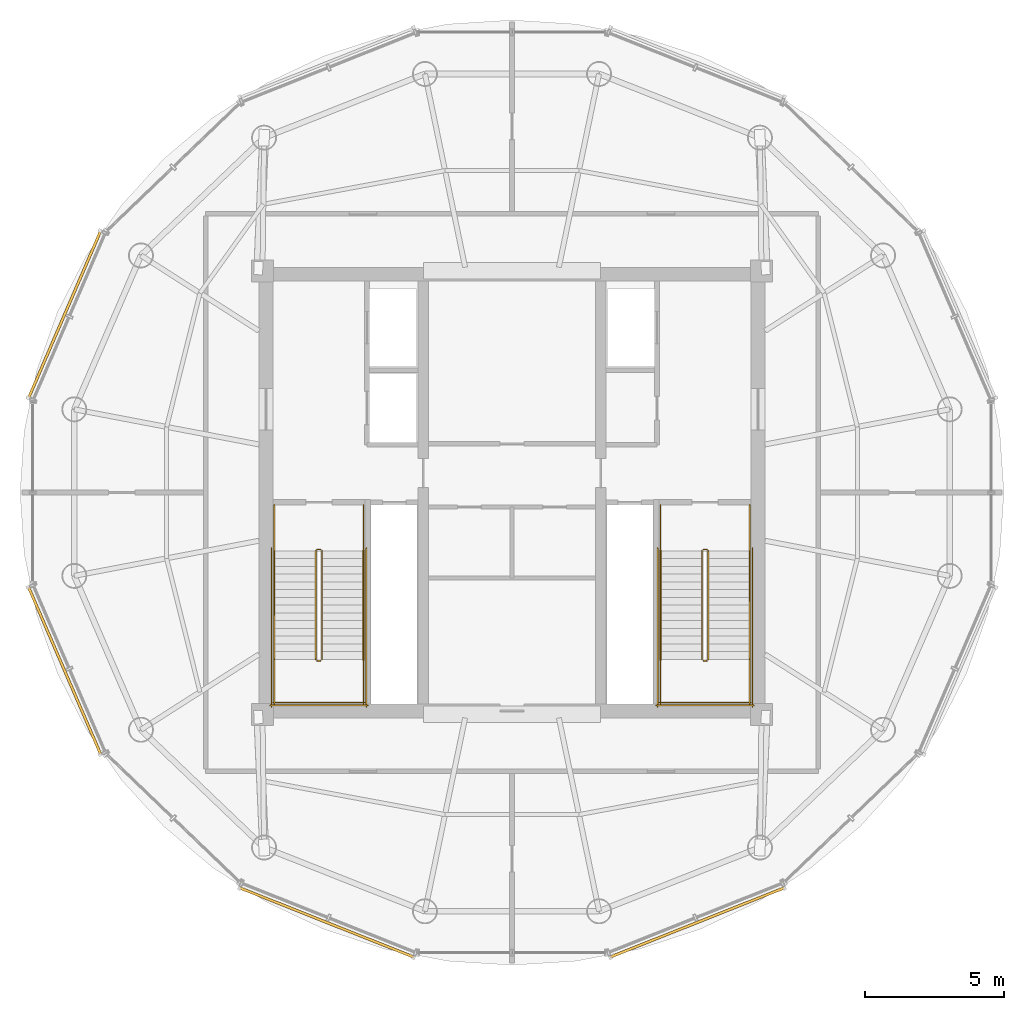
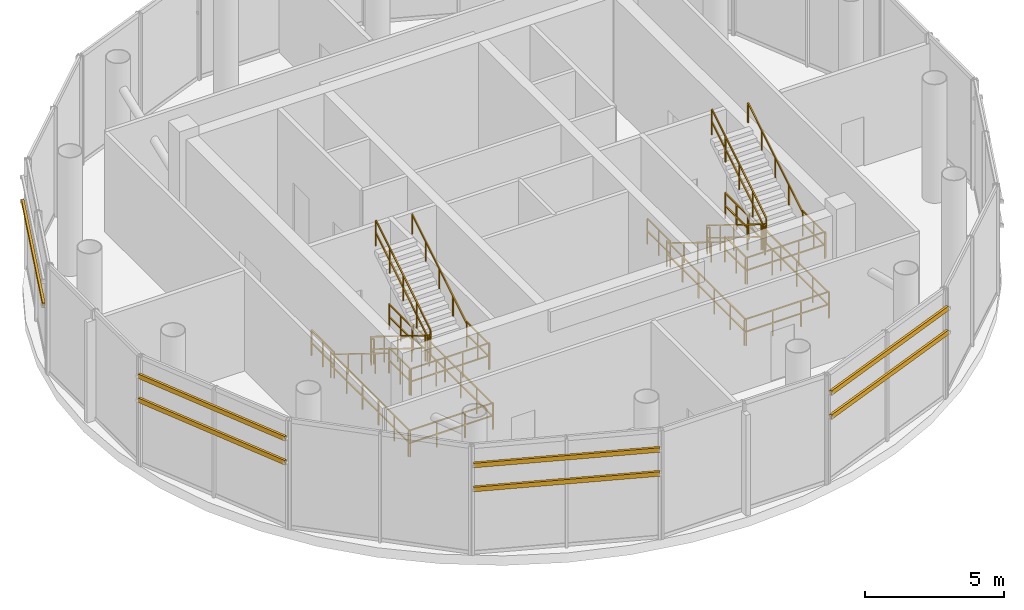
# One storey, part 14 of 15: 28 railings, 7 shading devices.
"""IFC4 building model written with IfcOpenShell, lengths in metres."""

from ifc_helpers import new_model, si_unit, direction, frame, origin, origin_2d, place, context, subcontext, project, spatial, rectangle, hollow_rectangle, extrude, source, transform, mapped, material, material_profile, profile_set, type_object, element, save


model = new_model("IFC4")

# Units and contexts
model_context = context("Model", 3, precision=1e-05, world=origin(), true_north=direction((-0.2419218956, 0.970295726276)))
body_context = subcontext(model_context, "Body", "Model", "MODEL_VIEW")
ifc_project = project(units=[si_unit("LENGTHUNIT", "METRE"), si_unit("AREAUNIT", "SQUARE_METRE"), si_unit("VOLUMEUNIT", "CUBIC_METRE"), si_unit("PLANEANGLEUNIT", "RADIAN"), si_unit("MASSUNIT", "GRAM", prefix="KILO")], contexts=[model_context])

# Site, building, storey
site_placement = place(None, origin())
site = spatial("IfcSite", under=ifc_project, at=site_placement, CompositionType="ELEMENT")
building_placement = place(site_placement, origin())
building = spatial("IfcBuilding", under=site, at=building_placement, Name="Cobrevalo Terracotta Tower", CompositionType="ELEMENT")
storey_placement = place(building_placement, frame((0.0, 0.0, 311.300048828125)))
storey = spatial("IfcBuildingStorey", under=building, at=storey_placement, Name="L81", CompositionType="ELEMENT", Elevation=311.300048828125)

# Railings
ifc_material_1 = material(Name="Brushed stainless steel", Category="steel")
railing_type_1 = type_object("IfcRailingType", Name="Stainless Steel Stair Handrail 900", PredefinedType="HANDRAIL", material=ifc_material_1)
railing_1_placement = place(storey_placement, frame((29.425048828125, 24.699951171875, 0.17333984375)))
element("IfcRailing", 1, at=railing_1_placement, inside=storey, type_object=railing_type_1, Name="L81 ST-1 stair handrail 1", PredefinedType="HANDRAIL", context=body_context, shape_type="SweptSolid", body=[
    extrude(rectangle(XDim=0.048095703125, YDim=0.048095703125, at=origin_2d()), frame((0.0, 0.0, 0.8759765625), z_axis=(0.0, -0.850275303828, 0.526338206574), x_axis=(1.0, 0.0, 0.0)), (0.0, 0.0, 1.0), 4.610107421875),
    extrude(rectangle(XDim=0.0419921875, YDim=0.0419921875, at=origin_2d()), origin(), (0.0, 0.0, 1.0), 0.851806640625),
    extrude(rectangle(XDim=0.0419921875, YDim=0.0419921875, at=origin_2d()), frame((0.0, -0.97998046875, 0.606689453125)), (0.0, 0.0, 1.0), 0.851806640625),
    extrude(rectangle(XDim=0.0419921875, YDim=0.0419921875, at=origin_2d()), frame((0.0, -1.9599609375, 1.21337890625)), (0.0, 0.0, 1.0), 0.851806640625),
    extrude(rectangle(XDim=0.0419921875, YDim=0.0419921875, at=origin_2d()), frame((0.0, -2.93994140625, 1.81982421875)), (0.0, 0.0, 1.0), 0.851806640625),
    extrude(rectangle(XDim=0.0419921875, YDim=0.0419921875, at=origin_2d()), frame((0.0, -3.919921875, 2.426513671875)), (0.0, 0.0, 1.0), 0.851806640625),
])
railing_2_placement = place(storey_placement, frame((32.64501953125, 20.780029296875, 2.773193359375)))
element("IfcRailing", 2, at=railing_2_placement, inside=storey, type_object=railing_type_1, Name="L81 ST-1 stair handrail 2", PredefinedType="HANDRAIL", context=body_context, shape_type="SweptSolid", body=[
    extrude(rectangle(XDim=0.048095703125, YDim=0.048095703125, at=origin_2d()), frame((0.0, 0.0, 0.8759765625), z_axis=(0.0, 0.850251603719, 0.526376491091), x_axis=(-1.0, 0.0, 0.0)), (0.0, 0.0, 1.0), 4.6103515625),
    extrude(rectangle(XDim=0.0419921875, YDim=0.0419921875, at=origin_2d()), origin(), (0.0, 0.0, 1.0), 0.851806640625),
    extrude(rectangle(XDim=0.0419921875, YDim=0.0419921875, at=origin_2d()), frame((0.0, 0.97998046875, 0.606689453125)), (0.0, 0.0, 1.0), 0.851806640625),
    extrude(rectangle(XDim=0.0419921875, YDim=0.0419921875, at=origin_2d()), frame((0.0, 1.9599609375, 1.21337890625)), (0.0, 0.0, 1.0), 0.851806640625),
    extrude(rectangle(XDim=0.0419921875, YDim=0.0419921875, at=origin_2d()), frame((0.0, 2.93994140625, 1.820068359375)), (0.0, 0.0, 1.0), 0.851806640625),
    extrude(rectangle(XDim=0.0419921875, YDim=0.0419921875, at=origin_2d()), frame((0.0, 3.919921875, 2.4267578125)), (0.0, 0.0, 1.0), 0.851806640625),
])
railing_3_placement = place(storey_placement, frame((43.35498046875, 24.699951171875, 0.17333984375)))
element("IfcRailing", 3, at=railing_3_placement, inside=storey, type_object=railing_type_1, Name="L81 ST-2 stair handrail 1", PredefinedType="HANDRAIL", context=body_context, shape_type="SweptSolid", body=[
    extrude(rectangle(XDim=0.048095703125, YDim=0.048095703125, at=origin_2d()), frame((0.0, 0.0, 0.8759765625), z_axis=(0.0, -0.850275303828, 0.526338206574), x_axis=(1.0, 0.0, 0.0)), (0.0, 0.0, 1.0), 4.610107421875),
    extrude(rectangle(XDim=0.0419921875, YDim=0.0419921875, at=origin_2d()), origin(), (0.0, 0.0, 1.0), 0.851806640625),
    extrude(rectangle(XDim=0.0419921875, YDim=0.0419921875, at=origin_2d()), frame((0.0, -0.97998046875, 0.606689453125)), (0.0, 0.0, 1.0), 0.851806640625),
    extrude(rectangle(XDim=0.0419921875, YDim=0.0419921875, at=origin_2d()), frame((0.0, -1.9599609375, 1.21337890625)), (0.0, 0.0, 1.0), 0.851806640625),
    extrude(rectangle(XDim=0.0419921875, YDim=0.0419921875, at=origin_2d()), frame((0.0, -2.93994140625, 1.81982421875)), (0.0, 0.0, 1.0), 0.851806640625),
    extrude(rectangle(XDim=0.0419921875, YDim=0.0419921875, at=origin_2d()), frame((0.0, -3.919921875, 2.426513671875)), (0.0, 0.0, 1.0), 0.851806640625),
])
railing_4_placement = place(storey_placement, frame((46.574951171875, 20.780029296875, 2.773193359375)))
element("IfcRailing", 4, at=railing_4_placement, inside=storey, type_object=railing_type_1, Name="L81 ST-2 stair handrail 2", PredefinedType="HANDRAIL", context=body_context, shape_type="SweptSolid", body=[
    extrude(rectangle(XDim=0.048095703125, YDim=0.048095703125, at=origin_2d()), frame((0.0, 0.0, 0.8759765625), z_axis=(0.0, 0.850251603719, 0.526376491091), x_axis=(-1.0, 0.0, 0.0)), (0.0, 0.0, 1.0), 4.6103515625),
    extrude(rectangle(XDim=0.0419921875, YDim=0.0419921875, at=origin_2d()), origin(), (0.0, 0.0, 1.0), 0.851806640625),
    extrude(rectangle(XDim=0.0419921875, YDim=0.0419921875, at=origin_2d()), frame((0.0, 0.97998046875, 0.606689453125)), (0.0, 0.0, 1.0), 0.851806640625),
    extrude(rectangle(XDim=0.0419921875, YDim=0.0419921875, at=origin_2d()), frame((0.0, 1.9599609375, 1.21337890625)), (0.0, 0.0, 1.0), 0.851806640625),
    extrude(rectangle(XDim=0.0419921875, YDim=0.0419921875, at=origin_2d()), frame((0.0, 2.93994140625, 1.820068359375)), (0.0, 0.0, 1.0), 0.851806640625),
    extrude(rectangle(XDim=0.0419921875, YDim=0.0419921875, at=origin_2d()), frame((0.0, 3.919921875, 2.4267578125)), (0.0, 0.0, 1.0), 0.851806640625),
])
ifc_material_2 = material(Name="Painted galvanized steel", Category="steel")
railing_type_2 = type_object("IfcRailingType", Name="Stair Well Guard Balustrade 1150", PredefinedType="GUARDRAIL", material=ifc_material_2)
railing_5_placement = place(storey_placement, frame((30.925048828125, 24.699951171875, 0.17333984375)))
element("IfcRailing", 5, at=railing_5_placement, inside=storey, type_object=railing_type_2, Name="L81 ST-1 stair guard 1", PredefinedType="GUARDRAIL", context=body_context, shape_type="SweptSolid", body=[
    extrude(rectangle(XDim=0.048095703125, YDim=0.048095703125, at=origin_2d()), frame((0.0, 0.0, 1.1259765625), z_axis=(0.0, -0.850275303828, 0.526338206574), x_axis=(1.0, 0.0, 0.0)), (0.0, 0.0, 1.0), 4.610107421875),
    extrude(rectangle(XDim=0.048095703125, YDim=0.048095703125, at=origin_2d()), frame((0.0, 0.0, 0.574951171875), z_axis=(0.0, -0.850275303828, 0.526338206574), x_axis=(1.0, 0.0, 0.0)), (0.0, 0.0, 1.0), 4.610107421875),
    extrude(rectangle(XDim=0.0419921875, YDim=0.0419921875, at=origin_2d()), origin(), (0.0, 0.0, 1.0), 1.101806640625),
    extrude(rectangle(XDim=0.0419921875, YDim=0.0419921875, at=origin_2d()), frame((0.0, -0.97998046875, 0.606689453125)), (0.0, 0.0, 1.0), 1.101806640625),
    extrude(rectangle(XDim=0.0419921875, YDim=0.0419921875, at=origin_2d()), frame((0.0, -1.9599609375, 1.21337890625)), (0.0, 0.0, 1.0), 1.101806640625),
    extrude(rectangle(XDim=0.0419921875, YDim=0.0419921875, at=origin_2d()), frame((0.0, -2.93994140625, 1.81982421875)), (0.0, 0.0, 1.0), 1.101806640625),
    extrude(rectangle(XDim=0.0419921875, YDim=0.0419921875, at=origin_2d()), frame((0.0, -3.919921875, 2.426513671875)), (0.0, 0.0, 1.0), 1.101806640625),
])
railing_6_placement = place(storey_placement, frame((30.97509765625, 20.72998046875, 2.599853515625)))
element("IfcRailing", 6, at=railing_6_placement, inside=storey, type_object=railing_type_2, Name="L81 ST-1 stair guard 2", PredefinedType="GUARDRAIL", context=body_context, shape_type="SweptSolid", body=[
    extrude(rectangle(XDim=0.048095703125, YDim=0.048095703125, at=origin_2d()), frame((0.0, 0.0, 1.1259765625), z_axis=(1.0, 0.0, 0.0), x_axis=(0.0, 1.0, 0.0)), (0.0, 0.0, 1.0), 0.119873046875),
    extrude(rectangle(XDim=0.048095703125, YDim=0.048095703125, at=origin_2d()), frame((0.0, 0.0, 0.574951171875), z_axis=(1.0, 0.0, 0.0), x_axis=(0.0, 1.0, 0.0)), (0.0, 0.0, 1.0), 0.119873046875),
    extrude(rectangle(XDim=0.0419921875, YDim=0.0419921875, at=origin_2d()), origin(), (0.0, 0.0, 1.0), 1.101806640625),
    extrude(rectangle(XDim=0.0419921875, YDim=0.0419921875, at=origin_2d()), frame((0.119873046875, 0.0, 0.0)), (0.0, 0.0, 1.0), 1.101806640625),
])
for number, where, name in (
    (7, (29.425048828125, 20.780029296875, 2.599853515625), "L81 ST-1 stair guard 3"),
    (8, (32.64501953125, 20.780029296875, 2.599853515625), "L81 ST-1 stair guard 4"),
):
    element("IfcRailing", number, at=place(storey_placement, frame(where)), inside=storey, type_object=railing_type_2, Name=name, PredefinedType="GUARDRAIL", context=body_context, shape_type="SweptSolid", body=[
        extrude(rectangle(XDim=0.048095703125, YDim=0.048095703125, at=origin_2d()), frame((0.0, 0.0, 1.1259765625), z_axis=(0.0, -1.0, 0.0), x_axis=(1.0, 0.0, 0.0)), (0.0, 0.0, 1.0), 1.60498046875),
        extrude(rectangle(XDim=0.048095703125, YDim=0.048095703125, at=origin_2d()), frame((0.0, 0.0, 0.574951171875), z_axis=(0.0, -1.0, 0.0), x_axis=(1.0, 0.0, 0.0)), (0.0, 0.0, 1.0), 1.60498046875),
        extrude(rectangle(XDim=0.0419921875, YDim=0.0419921875, at=origin_2d()), origin(), (0.0, 0.0, 1.0), 1.101806640625),
        extrude(rectangle(XDim=0.0419921875, YDim=0.0419921875, at=origin_2d()), frame((0.0, -0.802490234375, 0.0)), (0.0, 0.0, 1.0), 1.101806640625),
        extrude(rectangle(XDim=0.0419921875, YDim=0.0419921875, at=origin_2d()), frame((0.0, -1.60498046875, 0.0)), (0.0, 0.0, 1.0), 1.101806640625),
    ])
railing_7_placement = place(storey_placement, frame((29.375, 19.22509765625, 2.599853515625)))
element("IfcRailing", 9, at=railing_7_placement, inside=storey, type_object=railing_type_2, Name="L81 ST-1 stair guard 5", PredefinedType="GUARDRAIL", context=body_context, shape_type="SweptSolid", body=[
    extrude(rectangle(XDim=0.048095703125, YDim=0.048095703125, at=origin_2d()), frame((0.0, 0.0, 1.1259765625), z_axis=(1.0, 0.0, 0.0), x_axis=(0.0, 1.0, 0.0)), (0.0, 0.0, 1.0), 3.320068359375),
    extrude(rectangle(XDim=0.048095703125, YDim=0.048095703125, at=origin_2d()), frame((0.0, 0.0, 0.574951171875), z_axis=(1.0, 0.0, 0.0), x_axis=(0.0, 1.0, 0.0)), (0.0, 0.0, 1.0), 3.320068359375),
    extrude(rectangle(XDim=0.0419921875, YDim=0.0419921875, at=origin_2d()), origin(), (0.0, 0.0, 1.0), 1.101806640625),
    extrude(rectangle(XDim=0.0419921875, YDim=0.0419921875, at=origin_2d()), frame((1.106689453125, 0.0, 0.0)), (0.0, 0.0, 1.0), 1.101806640625),
    extrude(rectangle(XDim=0.0419921875, YDim=0.0419921875, at=origin_2d()), frame((2.21337890625, 0.0, 0.0)), (0.0, 0.0, 1.0), 1.101806640625),
    extrude(rectangle(XDim=0.0419921875, YDim=0.0419921875, at=origin_2d()), frame((3.320068359375, 0.0, 0.0)), (0.0, 0.0, 1.0), 1.101806640625),
])
railing_8_placement = place(storey_placement, frame((31.14501953125, 20.780029296875, 2.773193359375)))
element("IfcRailing", 10, at=railing_8_placement, inside=storey, type_object=railing_type_2, Name="L81 ST-1 stair guard 6", PredefinedType="GUARDRAIL", context=body_context, shape_type="SweptSolid", body=[
    extrude(rectangle(XDim=0.048095703125, YDim=0.048095703125, at=origin_2d()), frame((0.0, 0.0, 1.1259765625), z_axis=(0.0, 0.850251603719, 0.526376491091), x_axis=(-1.0, 0.0, 0.0)), (0.0, 0.0, 1.0), 4.6103515625),
    extrude(rectangle(XDim=0.048095703125, YDim=0.048095703125, at=origin_2d()), frame((0.0, 0.0, 0.574951171875), z_axis=(0.0, 0.850251603719, 0.526376491091), x_axis=(-1.0, 0.0, 0.0)), (0.0, 0.0, 1.0), 4.6103515625),
    extrude(rectangle(XDim=0.0419921875, YDim=0.0419921875, at=origin_2d()), origin(), (0.0, 0.0, 1.0), 1.101806640625),
    extrude(rectangle(XDim=0.0419921875, YDim=0.0419921875, at=origin_2d()), frame((0.0, 0.97998046875, 0.606689453125)), (0.0, 0.0, 1.0), 1.101806640625),
    extrude(rectangle(XDim=0.0419921875, YDim=0.0419921875, at=origin_2d()), frame((0.0, 1.9599609375, 1.21337890625)), (0.0, 0.0, 1.0), 1.101806640625),
    extrude(rectangle(XDim=0.0419921875, YDim=0.0419921875, at=origin_2d()), frame((0.0, 2.93994140625, 1.820068359375)), (0.0, 0.0, 1.0), 1.101806640625),
    extrude(rectangle(XDim=0.0419921875, YDim=0.0419921875, at=origin_2d()), frame((0.0, 3.919921875, 2.4267578125)), (0.0, 0.0, 1.0), 1.101806640625),
])
railing_9_placement = place(storey_placement, frame((30.97509765625, 24.75, 0.0)))
element("IfcRailing", 11, at=railing_9_placement, inside=storey, type_object=railing_type_2, Name="L81 ST-1 stair guard 7", PredefinedType="GUARDRAIL", context=body_context, shape_type="SweptSolid", body=[
    extrude(rectangle(XDim=0.048095703125, YDim=0.048095703125, at=origin_2d()), frame((0.0, 0.0, 1.1259765625), z_axis=(1.0, 0.0, 0.0), x_axis=(0.0, 1.0, 0.0)), (0.0, 0.0, 1.0), 0.119873046875),
    extrude(rectangle(XDim=0.048095703125, YDim=0.048095703125, at=origin_2d()), frame((0.0, 0.0, 0.574951171875), z_axis=(1.0, 0.0, 0.0), x_axis=(0.0, 1.0, 0.0)), (0.0, 0.0, 1.0), 0.119873046875),
    extrude(rectangle(XDim=0.0419921875, YDim=0.0419921875, at=origin_2d()), origin(), (0.0, 0.0, 1.0), 1.101806640625),
    extrude(rectangle(XDim=0.0419921875, YDim=0.0419921875, at=origin_2d()), frame((0.119873046875, 0.0, 0.0)), (0.0, 0.0, 1.0), 1.101806640625),
])
for number, where, name in (
    (12, (29.425048828125, 26.35009765625, 0.0), "L81 ST-1 stair guard 8"),
    (13, (32.64501953125, 26.35009765625, 0.0), "L81 ST-1 stair guard 9"),
):
    element("IfcRailing", number, at=place(storey_placement, frame(where)), inside=storey, type_object=railing_type_2, Name=name, PredefinedType="GUARDRAIL", context=body_context, shape_type="SweptSolid", body=[
        extrude(rectangle(XDim=0.048095703125, YDim=0.048095703125, at=origin_2d()), frame((0.0, 0.0, 1.1259765625), z_axis=(0.0, -1.0, 0.0), x_axis=(1.0, 0.0, 0.0)), (0.0, 0.0, 1.0), 1.650146484375),
        extrude(rectangle(XDim=0.048095703125, YDim=0.048095703125, at=origin_2d()), frame((0.0, 0.0, 0.574951171875), z_axis=(0.0, -1.0, 0.0), x_axis=(1.0, 0.0, 0.0)), (0.0, 0.0, 1.0), 1.650146484375),
        extrude(rectangle(XDim=0.0419921875, YDim=0.0419921875, at=origin_2d()), origin(), (0.0, 0.0, 1.0), 1.101806640625),
        extrude(rectangle(XDim=0.0419921875, YDim=0.0419921875, at=origin_2d()), frame((0.0, -0.8251953125, 0.0)), (0.0, 0.0, 1.0), 1.101806640625),
        extrude(rectangle(XDim=0.0419921875, YDim=0.0419921875, at=origin_2d()), frame((0.0, -1.650146484375, 0.0)), (0.0, 0.0, 1.0), 1.101806640625),
    ])
for number, where, name in (
    (14, (29.324951171875, 24.800048828125, 0.0), "L81 ST-1 stair guard 10"),
    (15, (32.7451171875, 24.800048828125, 0.0), "L81 ST-1 stair guard 11"),
):
    element("IfcRailing", number, at=place(storey_placement, frame(where)), inside=storey, type_object=railing_type_2, Name=name, PredefinedType="GUARDRAIL", context=body_context, shape_type="SweptSolid", body=[
        extrude(rectangle(XDim=0.048095703125, YDim=0.048095703125, at=origin_2d()), frame((0.0, 0.0, 1.1259765625), z_axis=(0.0, -1.0, 0.0), x_axis=(1.0, 0.0, 0.0)), (0.0, 0.0, 1.0), 5.72509765625),
        extrude(rectangle(XDim=0.048095703125, YDim=0.048095703125, at=origin_2d()), frame((0.0, 0.0, 0.574951171875), z_axis=(0.0, -1.0, 0.0), x_axis=(1.0, 0.0, 0.0)), (0.0, 0.0, 1.0), 5.72509765625),
        extrude(rectangle(XDim=0.0419921875, YDim=0.0419921875, at=origin_2d()), origin(), (0.0, 0.0, 1.0), 1.101806640625),
        extrude(rectangle(XDim=0.0419921875, YDim=0.0419921875, at=origin_2d()), frame((0.0, -1.14501953125, 0.0)), (0.0, 0.0, 1.0), 1.101806640625),
        extrude(rectangle(XDim=0.0419921875, YDim=0.0419921875, at=origin_2d()), frame((0.0, -2.2900390625, 0.0)), (0.0, 0.0, 1.0), 1.101806640625),
        extrude(rectangle(XDim=0.0419921875, YDim=0.0419921875, at=origin_2d()), frame((0.0, -3.43505859375, 0.0)), (0.0, 0.0, 1.0), 1.101806640625),
        extrude(rectangle(XDim=0.0419921875, YDim=0.0419921875, at=origin_2d()), frame((0.0, -4.580078125, 0.0)), (0.0, 0.0, 1.0), 1.101806640625),
        extrude(rectangle(XDim=0.0419921875, YDim=0.0419921875, at=origin_2d()), frame((0.0, -5.72509765625, 0.0)), (0.0, 0.0, 1.0), 1.101806640625),
    ])
railing_10_placement = place(storey_placement, frame((29.27490234375, 19.125, 0.0)))
element("IfcRailing", 16, at=railing_10_placement, inside=storey, type_object=railing_type_2, Name="L81 ST-1 stair guard 12", PredefinedType="GUARDRAIL", context=body_context, shape_type="SweptSolid", body=[
    extrude(rectangle(XDim=0.048095703125, YDim=0.048095703125, at=origin_2d()), frame((0.0, 0.0, 1.1259765625), z_axis=(1.0, 0.0, 0.0), x_axis=(0.0, 1.0, 0.0)), (0.0, 0.0, 1.0), 3.52001953125),
    extrude(rectangle(XDim=0.048095703125, YDim=0.048095703125, at=origin_2d()), frame((0.0, 0.0, 0.574951171875), z_axis=(1.0, 0.0, 0.0), x_axis=(0.0, 1.0, 0.0)), (0.0, 0.0, 1.0), 3.52001953125),
    extrude(rectangle(XDim=0.0419921875, YDim=0.0419921875, at=origin_2d()), origin(), (0.0, 0.0, 1.0), 1.101806640625),
    extrude(rectangle(XDim=0.0419921875, YDim=0.0419921875, at=origin_2d()), frame((1.17333984375, 0.0, 0.0)), (0.0, 0.0, 1.0), 1.101806640625),
    extrude(rectangle(XDim=0.0419921875, YDim=0.0419921875, at=origin_2d()), frame((2.3466796875, 0.0, 0.0)), (0.0, 0.0, 1.0), 1.101806640625),
    extrude(rectangle(XDim=0.0419921875, YDim=0.0419921875, at=origin_2d()), frame((3.52001953125, 0.0, 0.0)), (0.0, 0.0, 1.0), 1.101806640625),
])
railing_11_placement = place(storey_placement, frame((44.85498046875, 24.699951171875, 0.17333984375)))
element("IfcRailing", 17, at=railing_11_placement, inside=storey, type_object=railing_type_2, Name="L81 ST-2 stair guard 1", PredefinedType="GUARDRAIL", context=body_context, shape_type="SweptSolid", body=[
    extrude(rectangle(XDim=0.048095703125, YDim=0.048095703125, at=origin_2d()), frame((0.0, 0.0, 1.1259765625), z_axis=(0.0, -0.850275303828, 0.526338206574), x_axis=(1.0, 0.0, 0.0)), (0.0, 0.0, 1.0), 4.610107421875),
    extrude(rectangle(XDim=0.048095703125, YDim=0.048095703125, at=origin_2d()), frame((0.0, 0.0, 0.574951171875), z_axis=(0.0, -0.850275303828, 0.526338206574), x_axis=(1.0, 0.0, 0.0)), (0.0, 0.0, 1.0), 4.610107421875),
    extrude(rectangle(XDim=0.0419921875, YDim=0.0419921875, at=origin_2d()), origin(), (0.0, 0.0, 1.0), 1.101806640625),
    extrude(rectangle(XDim=0.0419921875, YDim=0.0419921875, at=origin_2d()), frame((0.0, -0.97998046875, 0.606689453125)), (0.0, 0.0, 1.0), 1.101806640625),
    extrude(rectangle(XDim=0.0419921875, YDim=0.0419921875, at=origin_2d()), frame((0.0, -1.9599609375, 1.21337890625)), (0.0, 0.0, 1.0), 1.101806640625),
    extrude(rectangle(XDim=0.0419921875, YDim=0.0419921875, at=origin_2d()), frame((0.0, -2.93994140625, 1.81982421875)), (0.0, 0.0, 1.0), 1.101806640625),
    extrude(rectangle(XDim=0.0419921875, YDim=0.0419921875, at=origin_2d()), frame((0.0, -3.919921875, 2.426513671875)), (0.0, 0.0, 1.0), 1.101806640625),
])
railing_12_placement = place(storey_placement, frame((44.905029296875, 20.72998046875, 2.599853515625)))
element("IfcRailing", 18, at=railing_12_placement, inside=storey, type_object=railing_type_2, Name="L81 ST-2 stair guard 2", PredefinedType="GUARDRAIL", context=body_context, shape_type="SweptSolid", body=[
    extrude(rectangle(XDim=0.048095703125, YDim=0.048095703125, at=origin_2d()), frame((0.0, 0.0, 1.1259765625), z_axis=(1.0, 0.0, 0.0), x_axis=(0.0, 1.0, 0.0)), (0.0, 0.0, 1.0), 0.119873046875),
    extrude(rectangle(XDim=0.048095703125, YDim=0.048095703125, at=origin_2d()), frame((0.0, 0.0, 0.574951171875), z_axis=(1.0, 0.0, 0.0), x_axis=(0.0, 1.0, 0.0)), (0.0, 0.0, 1.0), 0.119873046875),
    extrude(rectangle(XDim=0.0419921875, YDim=0.0419921875, at=origin_2d()), origin(), (0.0, 0.0, 1.0), 1.101806640625),
    extrude(rectangle(XDim=0.0419921875, YDim=0.0419921875, at=origin_2d()), frame((0.119873046875, 0.0, 0.0)), (0.0, 0.0, 1.0), 1.101806640625),
])
for number, where, name in (
    (19, (43.35498046875, 20.780029296875, 2.599853515625), "L81 ST-2 stair guard 3"),
    (20, (46.574951171875, 20.780029296875, 2.599853515625), "L81 ST-2 stair guard 4"),
):
    element("IfcRailing", number, at=place(storey_placement, frame(where)), inside=storey, type_object=railing_type_2, Name=name, PredefinedType="GUARDRAIL", context=body_context, shape_type="SweptSolid", body=[
        extrude(rectangle(XDim=0.048095703125, YDim=0.048095703125, at=origin_2d()), frame((0.0, 0.0, 1.1259765625), z_axis=(0.0, -1.0, 0.0), x_axis=(1.0, 0.0, 0.0)), (0.0, 0.0, 1.0), 1.60498046875),
        extrude(rectangle(XDim=0.048095703125, YDim=0.048095703125, at=origin_2d()), frame((0.0, 0.0, 0.574951171875), z_axis=(0.0, -1.0, 0.0), x_axis=(1.0, 0.0, 0.0)), (0.0, 0.0, 1.0), 1.60498046875),
        extrude(rectangle(XDim=0.0419921875, YDim=0.0419921875, at=origin_2d()), origin(), (0.0, 0.0, 1.0), 1.101806640625),
        extrude(rectangle(XDim=0.0419921875, YDim=0.0419921875, at=origin_2d()), frame((0.0, -0.802490234375, 0.0)), (0.0, 0.0, 1.0), 1.101806640625),
        extrude(rectangle(XDim=0.0419921875, YDim=0.0419921875, at=origin_2d()), frame((0.0, -1.60498046875, 0.0)), (0.0, 0.0, 1.0), 1.101806640625),
    ])
railing_13_placement = place(storey_placement, frame((43.304931640625, 19.22509765625, 2.599853515625)))
element("IfcRailing", 21, at=railing_13_placement, inside=storey, type_object=railing_type_2, Name="L81 ST-2 stair guard 5", PredefinedType="GUARDRAIL", context=body_context, shape_type="SweptSolid", body=[
    extrude(rectangle(XDim=0.048095703125, YDim=0.048095703125, at=origin_2d()), frame((0.0, 0.0, 1.1259765625), z_axis=(1.0, 0.0, 0.0), x_axis=(0.0, 1.0, 0.0)), (0.0, 0.0, 1.0), 3.320068359375),
    extrude(rectangle(XDim=0.048095703125, YDim=0.048095703125, at=origin_2d()), frame((0.0, 0.0, 0.574951171875), z_axis=(1.0, 0.0, 0.0), x_axis=(0.0, 1.0, 0.0)), (0.0, 0.0, 1.0), 3.320068359375),
    extrude(rectangle(XDim=0.0419921875, YDim=0.0419921875, at=origin_2d()), origin(), (0.0, 0.0, 1.0), 1.101806640625),
    extrude(rectangle(XDim=0.0419921875, YDim=0.0419921875, at=origin_2d()), frame((1.106689453125, 0.0, 0.0)), (0.0, 0.0, 1.0), 1.101806640625),
    extrude(rectangle(XDim=0.0419921875, YDim=0.0419921875, at=origin_2d()), frame((2.21337890625, 0.0, 0.0)), (0.0, 0.0, 1.0), 1.101806640625),
    extrude(rectangle(XDim=0.0419921875, YDim=0.0419921875, at=origin_2d()), frame((3.320068359375, 0.0, 0.0)), (0.0, 0.0, 1.0), 1.101806640625),
])
railing_14_placement = place(storey_placement, frame((45.074951171875, 20.780029296875, 2.773193359375)))
element("IfcRailing", 22, at=railing_14_placement, inside=storey, type_object=railing_type_2, Name="L81 ST-2 stair guard 6", PredefinedType="GUARDRAIL", context=body_context, shape_type="SweptSolid", body=[
    extrude(rectangle(XDim=0.048095703125, YDim=0.048095703125, at=origin_2d()), frame((0.0, 0.0, 1.1259765625), z_axis=(0.0, 0.850251603719, 0.526376491091), x_axis=(-1.0, 0.0, 0.0)), (0.0, 0.0, 1.0), 4.6103515625),
    extrude(rectangle(XDim=0.048095703125, YDim=0.048095703125, at=origin_2d()), frame((0.0, 0.0, 0.574951171875), z_axis=(0.0, 0.850251603719, 0.526376491091), x_axis=(-1.0, 0.0, 0.0)), (0.0, 0.0, 1.0), 4.6103515625),
    extrude(rectangle(XDim=0.0419921875, YDim=0.0419921875, at=origin_2d()), origin(), (0.0, 0.0, 1.0), 1.101806640625),
    extrude(rectangle(XDim=0.0419921875, YDim=0.0419921875, at=origin_2d()), frame((0.0, 0.97998046875, 0.606689453125)), (0.0, 0.0, 1.0), 1.101806640625),
    extrude(rectangle(XDim=0.0419921875, YDim=0.0419921875, at=origin_2d()), frame((0.0, 1.9599609375, 1.21337890625)), (0.0, 0.0, 1.0), 1.101806640625),
    extrude(rectangle(XDim=0.0419921875, YDim=0.0419921875, at=origin_2d()), frame((0.0, 2.93994140625, 1.820068359375)), (0.0, 0.0, 1.0), 1.101806640625),
    extrude(rectangle(XDim=0.0419921875, YDim=0.0419921875, at=origin_2d()), frame((0.0, 3.919921875, 2.4267578125)), (0.0, 0.0, 1.0), 1.101806640625),
])
railing_15_placement = place(storey_placement, frame((44.905029296875, 24.75, 0.0)))
element("IfcRailing", 23, at=railing_15_placement, inside=storey, type_object=railing_type_2, Name="L81 ST-2 stair guard 7", PredefinedType="GUARDRAIL", context=body_context, shape_type="SweptSolid", body=[
    extrude(rectangle(XDim=0.048095703125, YDim=0.048095703125, at=origin_2d()), frame((0.0, 0.0, 1.1259765625), z_axis=(1.0, 0.0, 0.0), x_axis=(0.0, 1.0, 0.0)), (0.0, 0.0, 1.0), 0.119873046875),
    extrude(rectangle(XDim=0.048095703125, YDim=0.048095703125, at=origin_2d()), frame((0.0, 0.0, 0.574951171875), z_axis=(1.0, 0.0, 0.0), x_axis=(0.0, 1.0, 0.0)), (0.0, 0.0, 1.0), 0.119873046875),
    extrude(rectangle(XDim=0.0419921875, YDim=0.0419921875, at=origin_2d()), origin(), (0.0, 0.0, 1.0), 1.101806640625),
    extrude(rectangle(XDim=0.0419921875, YDim=0.0419921875, at=origin_2d()), frame((0.119873046875, 0.0, 0.0)), (0.0, 0.0, 1.0), 1.101806640625),
])
for number, where, name in (
    (24, (43.35498046875, 26.35009765625, 0.0), "L81 ST-2 stair guard 8"),
    (25, (46.574951171875, 26.35009765625, 0.0), "L81 ST-2 stair guard 9"),
):
    element("IfcRailing", number, at=place(storey_placement, frame(where)), inside=storey, type_object=railing_type_2, Name=name, PredefinedType="GUARDRAIL", context=body_context, shape_type="SweptSolid", body=[
        extrude(rectangle(XDim=0.048095703125, YDim=0.048095703125, at=origin_2d()), frame((0.0, 0.0, 1.1259765625), z_axis=(0.0, -1.0, 0.0), x_axis=(1.0, 0.0, 0.0)), (0.0, 0.0, 1.0), 1.650146484375),
        extrude(rectangle(XDim=0.048095703125, YDim=0.048095703125, at=origin_2d()), frame((0.0, 0.0, 0.574951171875), z_axis=(0.0, -1.0, 0.0), x_axis=(1.0, 0.0, 0.0)), (0.0, 0.0, 1.0), 1.650146484375),
        extrude(rectangle(XDim=0.0419921875, YDim=0.0419921875, at=origin_2d()), origin(), (0.0, 0.0, 1.0), 1.101806640625),
        extrude(rectangle(XDim=0.0419921875, YDim=0.0419921875, at=origin_2d()), frame((0.0, -0.8251953125, 0.0)), (0.0, 0.0, 1.0), 1.101806640625),
        extrude(rectangle(XDim=0.0419921875, YDim=0.0419921875, at=origin_2d()), frame((0.0, -1.650146484375, 0.0)), (0.0, 0.0, 1.0), 1.101806640625),
    ])
for number, where, name in (
    (26, (43.2548828125, 24.800048828125, 0.0), "L81 ST-2 stair guard 10"),
    (27, (46.675048828125, 24.800048828125, 0.0), "L81 ST-2 stair guard 11"),
):
    element("IfcRailing", number, at=place(storey_placement, frame(where)), inside=storey, type_object=railing_type_2, Name=name, PredefinedType="GUARDRAIL", context=body_context, shape_type="SweptSolid", body=[
        extrude(rectangle(XDim=0.048095703125, YDim=0.048095703125, at=origin_2d()), frame((0.0, 0.0, 1.1259765625), z_axis=(0.0, -1.0, 0.0), x_axis=(1.0, 0.0, 0.0)), (0.0, 0.0, 1.0), 5.72509765625),
        extrude(rectangle(XDim=0.048095703125, YDim=0.048095703125, at=origin_2d()), frame((0.0, 0.0, 0.574951171875), z_axis=(0.0, -1.0, 0.0), x_axis=(1.0, 0.0, 0.0)), (0.0, 0.0, 1.0), 5.72509765625),
        extrude(rectangle(XDim=0.0419921875, YDim=0.0419921875, at=origin_2d()), origin(), (0.0, 0.0, 1.0), 1.101806640625),
        extrude(rectangle(XDim=0.0419921875, YDim=0.0419921875, at=origin_2d()), frame((0.0, -1.14501953125, 0.0)), (0.0, 0.0, 1.0), 1.101806640625),
        extrude(rectangle(XDim=0.0419921875, YDim=0.0419921875, at=origin_2d()), frame((0.0, -2.2900390625, 0.0)), (0.0, 0.0, 1.0), 1.101806640625),
        extrude(rectangle(XDim=0.0419921875, YDim=0.0419921875, at=origin_2d()), frame((0.0, -3.43505859375, 0.0)), (0.0, 0.0, 1.0), 1.101806640625),
        extrude(rectangle(XDim=0.0419921875, YDim=0.0419921875, at=origin_2d()), frame((0.0, -4.580078125, 0.0)), (0.0, 0.0, 1.0), 1.101806640625),
        extrude(rectangle(XDim=0.0419921875, YDim=0.0419921875, at=origin_2d()), frame((0.0, -5.72509765625, 0.0)), (0.0, 0.0, 1.0), 1.101806640625),
    ])
railing_16_placement = place(storey_placement, frame((43.205078125, 19.125, 0.0)))
element("IfcRailing", 28, at=railing_16_placement, inside=storey, type_object=railing_type_2, Name="L81 ST-2 stair guard 12", PredefinedType="GUARDRAIL", context=body_context, shape_type="SweptSolid", body=[
    extrude(rectangle(XDim=0.048095703125, YDim=0.048095703125, at=origin_2d()), frame((0.0, 0.0, 1.1259765625), z_axis=(1.0, 0.0, 0.0), x_axis=(0.0, 1.0, 0.0)), (0.0, 0.0, 1.0), 3.52001953125),
    extrude(rectangle(XDim=0.048095703125, YDim=0.048095703125, at=origin_2d()), frame((0.0, 0.0, 0.574951171875), z_axis=(1.0, 0.0, 0.0), x_axis=(0.0, 1.0, 0.0)), (0.0, 0.0, 1.0), 3.52001953125),
    extrude(rectangle(XDim=0.0419921875, YDim=0.0419921875, at=origin_2d()), origin(), (0.0, 0.0, 1.0), 1.101806640625),
    extrude(rectangle(XDim=0.0419921875, YDim=0.0419921875, at=origin_2d()), frame((1.17333984375, 0.0, 0.0)), (0.0, 0.0, 1.0), 1.101806640625),
    extrude(rectangle(XDim=0.0419921875, YDim=0.0419921875, at=origin_2d()), frame((2.3466796875, 0.0, 0.0)), (0.0, 0.0, 1.0), 1.101806640625),
    extrude(rectangle(XDim=0.0419921875, YDim=0.0419921875, at=origin_2d()), frame((3.52001953125, 0.0, 0.0)), (0.0, 0.0, 1.0), 1.101806640625),
])

# Shading devices
ifc_material_3 = material(Name="Extruded fired architectural terracotta", Category="masonry")
ifc_material_profile = material_profile(ifc_material_3, hollow_rectangle(XDim=0.094970703125, YDim=0.199951171875, WallThickness=0.01611328125, at=origin_2d()), Name="BAGUETTE 95x200")
ifc_profile_set = profile_set([ifc_material_profile], Name="Extruded fired architectural terracotta")
shading_device_type = type_object("IfcShadingDeviceType", Name="Upper-Zone Terracotta Baguette Screen 95x200", PredefinedType="USERDEFINED", material=ifc_profile_set)
shared_shape_1 = source(origin(), body_context, "Body", "SweptSolid", [
    extrude(hollow_rectangle(XDim=0.094970703125, YDim=0.199951171875, WallThickness=0.01611328125, at=origin_2d()), origin(), (0.0, 0.0, 1.0), 6.566650390625),
])
for number, where, z_axis, x_axis, name in (
    (29, (23.16015625, 36.240478515625, 2.963623046875), (-0.396072057664, -0.91821943191, 0.0), (0.91821943191, -0.396072057664, 0.0), "CW-CRN-L81-S07 horizontal terracotta baguette 1"),
    (30, (20.559326171875, 23.38916015625, 2.963623046875), (0.396072057664, -0.91821943191, 0.0), (0.91821943191, 0.396072057664, 0.0), "CW-CRN-L81-S09 horizontal terracotta baguette 1"),
    (31, (20.559326171875, 23.38916015625, 4.01513671875), (0.396072057664, -0.91821943191, 0.0), (0.91821943191, 0.396072057664, 0.0), "CW-CRN-L81-S09 horizontal terracotta baguette 2"),
):
    element("IfcShadingDevice", number, at=place(storey_placement, frame(where, z_axis=z_axis, x_axis=x_axis)), inside=storey, type_object=shading_device_type, Name=name, ObjectType="BAGUETTE", PredefinedType="USERDEFINED", context=body_context, shape_type="MappedRepresentation", body=[
        mapped(shared_shape_1, transform((0.0, 0.0, 0.0), scale=1.0)),
    ])
shared_shape_2 = source(origin(), body_context, "Body", "SweptSolid", [
    extrude(hollow_rectangle(XDim=0.094970703125, YDim=0.199951171875, WallThickness=0.01611328125, at=origin_2d()), origin(), (0.0, 0.0, 1.0), 6.759521484375),
])
for number, where, z_axis, x_axis, name in (
    (32, (28.176025390625, 12.541259765625, 2.963623046875), (0.929177467385, -0.36963391904, 0.0), (0.36963391904, 0.929177467385, 0.0), "CW-CRN-L81-S11 horizontal terracotta baguette 1"),
    (33, (28.176025390625, 12.541259765625, 4.01513671875), (0.929177467385, -0.36963391904, 0.0), (0.36963391904, 0.929177467385, 0.0), "CW-CRN-L81-S11 horizontal terracotta baguette 2"),
    (34, (41.543212890625, 10.042724609375, 2.963623046875), (0.929177467385, 0.36963391904, 0.0), (-0.36963391904, 0.929177467385, 0.0), "CW-CRN-L81-S13 horizontal terracotta baguette 1"),
    (35, (41.543212890625, 10.042724609375, 4.01513671875), (0.929177467385, 0.36963391904, 0.0), (-0.36963391904, 0.929177467385, 0.0), "CW-CRN-L81-S13 horizontal terracotta baguette 2"),
):
    element("IfcShadingDevice", number, at=place(storey_placement, frame(where, z_axis=z_axis, x_axis=x_axis)), inside=storey, type_object=shading_device_type, Name=name, ObjectType="BAGUETTE", PredefinedType="USERDEFINED", context=body_context, shape_type="MappedRepresentation", body=[
        mapped(shared_shape_2, transform((0.0, 0.0, 0.0), scale=1.0)),
    ])

save(model, "model.ifc")
